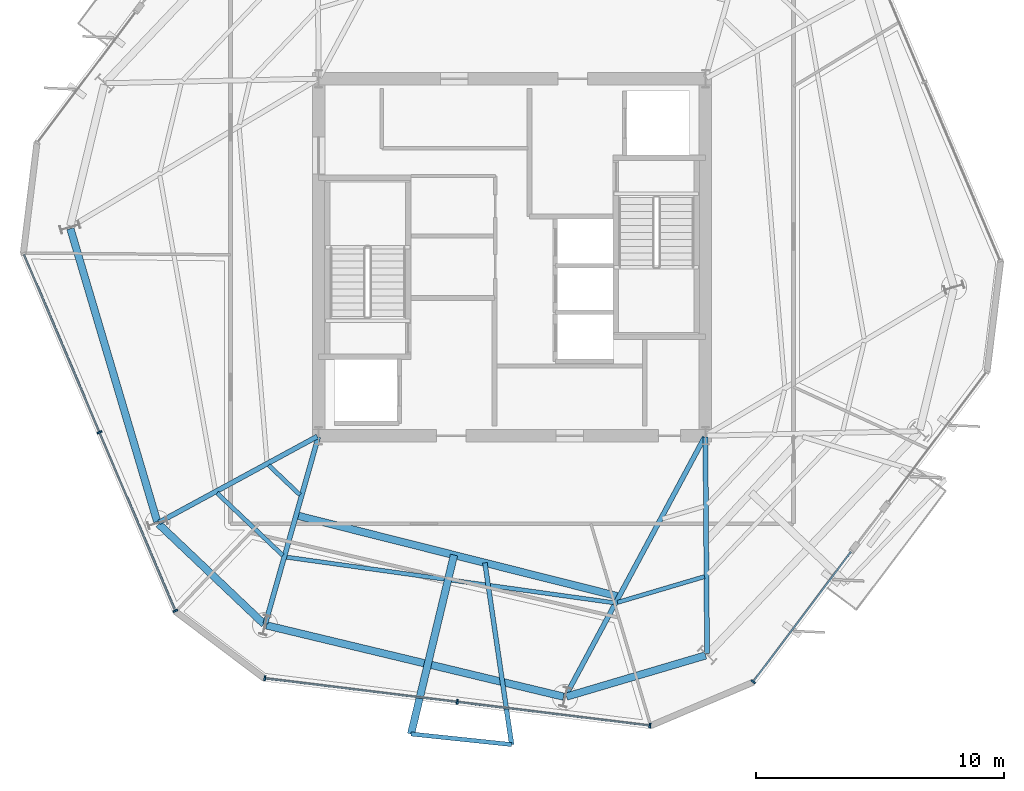
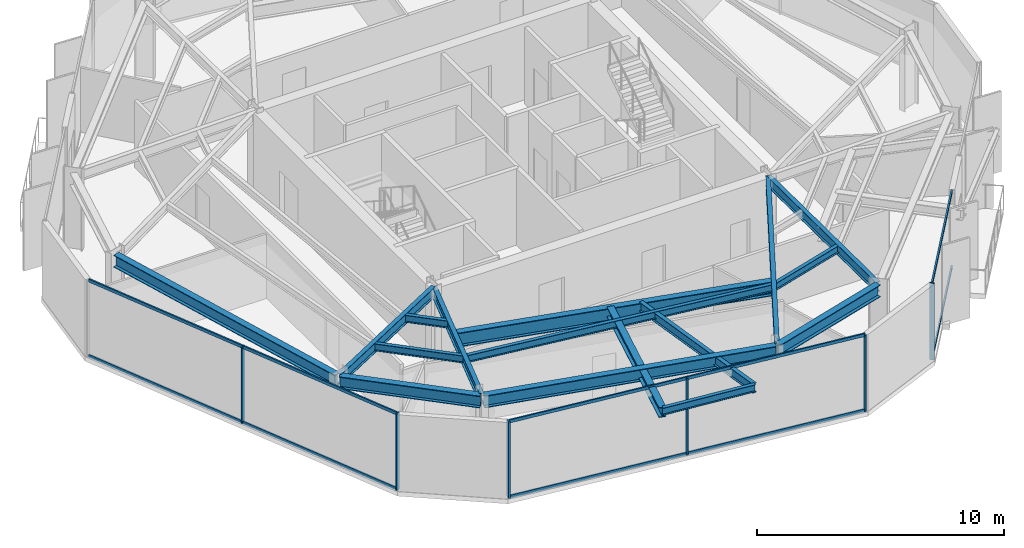
# One storey, part 2 of 12: 16 beams, 16 members, 3 elements without a shape of their own.
"""IFC4 building model written with IfcOpenShell, lengths in metres."""

from ifc_helpers import new_model, si_unit, direction, frame, origin, origin_2d, place, context, subcontext, project, spatial, rectangle, i_section, extrude, material, layer, layer_set, material_profile, profile_set, type_object, element, aggregate, save


model = new_model("IFC4")

# Units and contexts
model_context = context("Model", 3, precision=1e-05, world=origin(), true_north=direction((0.0, 1.0)))
body_context = subcontext(model_context, "Body", "Model", "MODEL_VIEW")
ifc_project = project(units=[si_unit("LENGTHUNIT", "METRE"), si_unit("AREAUNIT", "SQUARE_METRE"), si_unit("VOLUMEUNIT", "CUBIC_METRE"), si_unit("PLANEANGLEUNIT", "RADIAN"), si_unit("MASSUNIT", "GRAM", prefix="KILO")], contexts=[model_context])

# Site, building, storey
site_placement = place(None, origin())
site = spatial("IfcSite", under=ifc_project, at=site_placement, CompositionType="ELEMENT")
building_placement = place(site_placement, origin())
building = spatial("IfcBuilding", under=site, at=building_placement, Name="Kranzbogen Civic Tower", CompositionType="ELEMENT")
storey_placement = place(building_placement, frame((0.0, 0.0, 236.800048828125)))
storey = spatial("IfcBuildingStorey", under=building, at=storey_placement, Name="L57", CompositionType="ELEMENT", Elevation=236.800048828125)

# Beam
ifc_material_1 = material(Name="Steel S355", Category="steel")
ifc_material_profile_1 = material_profile(ifc_material_1, i_section(OverallWidth=0.18994140625, OverallDepth=0.449951171875, WebThickness=0.009521484375, FlangeThickness=0.0146484375, at=origin_2d()), Name="IPE 450")
ifc_profile_set_1 = profile_set([ifc_material_profile_1], Name="Steel S355")
beam_type_1 = type_object("IfcBeamType", Name="Braced Terrace Edge Beam IPE 450", PredefinedType="BEAM", material=ifc_profile_set_1)
beam_1_placement = place(storey_placement, frame((23.906982421875, 12.674072265625, 3.52490234375), z_axis=(0.145626782446, -0.989339598032, 0.0), x_axis=(0.989339598032, 0.145626782446, 0.0)))
element("IfcBeam", 1, at=beam_1_placement, inside=storey, type_object=beam_type_1, Name="L58 back-spanned terrace beam L58-TB1-2", PredefinedType="BEAM", context=body_context, shape_type="SweptSolid", body=[
    extrude(i_section(OverallWidth=0.18994140625, OverallDepth=0.449951171875, WebThickness=0.009521484375, FlangeThickness=0.0146484375, at=origin_2d()), origin(), (0.0, 0.0, 1.0), 7.41015625),
])

# Curtain wall, members
ifc_material_2 = material(Name="Pale Anodised Aluminium", Category="aluminium")
ifc_layer = layer(ifc_material_2, 0.219970703125, Name="Pale Anodised Aluminium")
ifc_layer_set = layer_set([ifc_layer], Name="Pale Anodised Aluminium")
curtain_wall_type = type_object("IfcCurtainWallType", Name="Zone 3 Stick Curtain Wall System CW-04", PredefinedType="USERDEFINED", material=ifc_layer_set)
curtain_wall_1_placement = place(storey_placement, origin())
curtain_wall_1 = element("IfcCurtainWall", 2, at=curtain_wall_1_placement, inside=storey, type_object=curtain_wall_type, Name="L57 curtain wall CW-L57-F3", ObjectType="STICK CURTAIN WALL", PredefinedType="USERDEFINED")
ifc_material_profile_2 = material_profile(ifc_material_2, rectangle(XDim=0.070068359375, YDim=0.199951171875, at=origin_2d()), Name="ALU-M 70x200")
ifc_profile_set_2 = profile_set([ifc_material_profile_2], Name="Pale Anodised Aluminium")
member_type_1 = type_object("IfcMemberType", Name="Curtain Wall Mullion ALU-M 70x200", PredefinedType="MULLION", material=ifc_profile_set_2)
member_1_placement = place(storey_placement, frame((8.364501953125, 17.939453125, 0.0), z_axis=(0.0, 0.0, 1.0), x_axis=(0.390705161325, -0.920515875428, 0.0)))
member_1 = element("IfcMember", 3, at=member_1_placement, type_object=member_type_1, Name="CW-04 mullion 2", PredefinedType="MULLION", context=body_context, shape_type="SweptSolid", body=[
    extrude(rectangle(XDim=0.070068359375, YDim=0.199951171875, at=origin_2d()), origin(), (0.0, 0.0, 1.0), 3.780029296875),
])
member_2_placement = place(storey_placement, frame((11.42138671875, 10.737548828125, 0.0), z_axis=(0.0, 0.0, 1.0), x_axis=(0.390705161325, -0.920515875428, 0.0)))
member_2 = element("IfcMember", 4, at=member_2_placement, type_object=member_type_1, Name="CW-04 mullion 3", PredefinedType="MULLION", context=body_context, shape_type="SweptSolid", body=[
    extrude(rectangle(XDim=0.070068359375, YDim=0.199951171875, at=origin_2d()), origin(), (0.0, 0.0, 1.0), 3.780029296875),
])

curtain_wall_2_placement = place(storey_placement, origin())
curtain_wall_2 = element("IfcCurtainWall", 5, at=curtain_wall_2_placement, inside=storey, type_object=curtain_wall_type, Name="L57 curtain wall CW-L57-F4", ObjectType="STICK CURTAIN WALL", PredefinedType="USERDEFINED")
member_3_placement = place(storey_placement, frame((15.03173828125, 8.017333984375, 0.0), z_axis=(0.0, 0.0, 1.0), x_axis=(0.992541022906, -0.121911106341, 0.0)))
member_3 = element("IfcMember", 6, at=member_3_placement, type_object=member_type_1, Name="CW-04 mullion 1", PredefinedType="MULLION", context=body_context, shape_type="SweptSolid", body=[
    extrude(rectangle(XDim=0.070068359375, YDim=0.199951171875, at=origin_2d()), origin(), (0.0, 0.0, 1.0), 3.780029296875),
])
member_4_placement = place(storey_placement, frame((22.797607421875, 7.0634765625, 0.0), z_axis=(0.0, 0.0, 1.0), x_axis=(0.992541022906, -0.121911106341, 0.0)))
member_4 = element("IfcMember", 7, at=member_4_placement, type_object=member_type_1, Name="CW-04 mullion 2", PredefinedType="MULLION", context=body_context, shape_type="SweptSolid", body=[
    extrude(rectangle(XDim=0.070068359375, YDim=0.199951171875, at=origin_2d()), origin(), (0.0, 0.0, 1.0), 3.780029296875),
])
member_5_placement = place(storey_placement, frame((30.563232421875, 6.109619140625, 0.0), z_axis=(0.0, 0.0, 1.0), x_axis=(0.992541022906, -0.121911106341, 0.0)))
member_5 = element("IfcMember", 8, at=member_5_placement, type_object=member_type_1, Name="CW-04 mullion 3", PredefinedType="MULLION", context=body_context, shape_type="SweptSolid", body=[
    extrude(rectangle(XDim=0.070068359375, YDim=0.199951171875, at=origin_2d()), origin(), (0.0, 0.0, 1.0), 3.780029296875),
])

# Curtain wall, member
curtain_wall_3_placement = place(storey_placement, origin())
curtain_wall_3 = element("IfcCurtainWall", 9, at=curtain_wall_3_placement, inside=storey, type_object=curtain_wall_type, Name="L57 curtain wall CW-L57-F5-S1", ObjectType="STICK CURTAIN WALL", PredefinedType="USERDEFINED")
member_6_placement = place(storey_placement, frame((34.72412109375, 7.8759765625, 0.0), z_axis=(0.0, 0.0, 1.0), x_axis=(0.601777999064, 0.798663408353, 0.0)))
member_6 = element("IfcMember", 10, at=member_6_placement, type_object=member_type_1, Name="CW-04 mullion 1", PredefinedType="MULLION", context=body_context, shape_type="SweptSolid", body=[
    extrude(rectangle(XDim=0.070068359375, YDim=0.199951171875, at=origin_2d()), origin(), (0.0, 0.0, 1.0), 3.780029296875),
])

# Member
ifc_material_profile_3 = material_profile(ifc_material_2, rectangle(XDim=0.070068359375, YDim=0.14990234375, at=origin_2d()), Name="ALU-T 70x150")
ifc_profile_set_3 = profile_set([ifc_material_profile_3], Name="Pale Anodised Aluminium")
member_type_2 = type_object("IfcMemberType", Name="Curtain Wall Transom ALU-T 70x150", PredefinedType="USERDEFINED", material=ifc_profile_set_3)
member_7_placement = place(storey_placement, frame((5.3193359375, 25.11376953125, 0.030029296875), z_axis=(0.390713774716, -0.920512219499, 0.0), x_axis=(0.920512219499, 0.390713774716, 0.0)))
member_7 = element("IfcMember", 11, at=member_7_placement, type_object=member_type_2, Name="CW-04 transom 1.1", ObjectType="TRANSOM", PredefinedType="USERDEFINED", context=body_context, shape_type="SweptSolid", body=[
    extrude(rectangle(XDim=0.070068359375, YDim=0.14990234375, at=origin_2d()), origin(), (0.0, 0.0, 1.0), 7.763916015625),
])

member_8_placement = place(storey_placement, frame((5.3193359375, 25.11376953125, 3.75), z_axis=(0.390713774716, -0.920512219499, 0.0), x_axis=(0.920512219499, 0.390713774716, 0.0)))
member_8 = element("IfcMember", 12, at=member_8_placement, type_object=member_type_2, Name="CW-04 transom 1.2", ObjectType="TRANSOM", PredefinedType="USERDEFINED", context=body_context, shape_type="SweptSolid", body=[
    extrude(rectangle(XDim=0.070068359375, YDim=0.14990234375, at=origin_2d()), origin(), (0.0, 0.0, 1.0), 7.763916015625),
])

member_9_placement = place(storey_placement, frame((8.376220703125, 17.911865234375, 0.030029296875), z_axis=(0.390713774716, -0.920512219499, 0.0), x_axis=(0.920512219499, 0.390713774716, 0.0)))
member_9 = element("IfcMember", 13, at=member_9_placement, type_object=member_type_2, Name="CW-04 transom 2.1", ObjectType="TRANSOM", PredefinedType="USERDEFINED", context=body_context, shape_type="SweptSolid", body=[
    extrude(rectangle(XDim=0.070068359375, YDim=0.14990234375, at=origin_2d()), origin(), (0.0, 0.0, 1.0), 7.763916015625),
])

member_10_placement = place(storey_placement, frame((8.376220703125, 17.911865234375, 3.75), z_axis=(0.390713774716, -0.920512219499, 0.0), x_axis=(0.920512219499, 0.390713774716, 0.0)))
member_10 = element("IfcMember", 14, at=member_10_placement, type_object=member_type_2, Name="CW-04 transom 2.2", ObjectType="TRANSOM", PredefinedType="USERDEFINED", context=body_context, shape_type="SweptSolid", body=[
    extrude(rectangle(XDim=0.070068359375, YDim=0.14990234375, at=origin_2d()), origin(), (0.0, 0.0, 1.0), 7.763916015625),
])

aggregate(curtain_wall_1, [member_1, member_2, member_7, member_8, member_9, member_10])

member_11_placement = place(storey_placement, frame((15.0615234375, 8.013671875, 0.030029296875), z_axis=(0.992541185924, -0.121909779117, 0.0), x_axis=(0.121909779117, 0.992541185924, 0.0)))
member_11 = element("IfcMember", 15, at=member_11_placement, type_object=member_type_2, Name="CW-04 transom 1.1", ObjectType="TRANSOM", PredefinedType="USERDEFINED", context=body_context, shape_type="SweptSolid", body=[
    extrude(rectangle(XDim=0.070068359375, YDim=0.14990234375, at=origin_2d()), origin(), (0.0, 0.0, 1.0), 7.76416015625),
])

member_12_placement = place(storey_placement, frame((15.0615234375, 8.013671875, 3.75), z_axis=(0.992541185924, -0.121909779117, 0.0), x_axis=(0.121909779117, 0.992541185924, 0.0)))
member_12 = element("IfcMember", 16, at=member_12_placement, type_object=member_type_2, Name="CW-04 transom 1.2", ObjectType="TRANSOM", PredefinedType="USERDEFINED", context=body_context, shape_type="SweptSolid", body=[
    extrude(rectangle(XDim=0.070068359375, YDim=0.14990234375, at=origin_2d()), origin(), (0.0, 0.0, 1.0), 7.76416015625),
])

member_13_placement = place(storey_placement, frame((22.827392578125, 7.059814453125, 0.030029296875), z_axis=(0.992540718576, -0.121913584017, 0.0), x_axis=(0.121913584017, 0.992540718576, 0.0)))
member_13 = element("IfcMember", 17, at=member_13_placement, type_object=member_type_2, Name="CW-04 transom 2.1", ObjectType="TRANSOM", PredefinedType="USERDEFINED", context=body_context, shape_type="SweptSolid", body=[
    extrude(rectangle(XDim=0.070068359375, YDim=0.14990234375, at=origin_2d()), origin(), (0.0, 0.0, 1.0), 7.763916015625),
])

member_14_placement = place(storey_placement, frame((22.827392578125, 7.059814453125, 3.75), z_axis=(0.992540718576, -0.121913584017, 0.0), x_axis=(0.121913584017, 0.992540718576, 0.0)))
member_14 = element("IfcMember", 18, at=member_14_placement, type_object=member_type_2, Name="CW-04 transom 2.2", ObjectType="TRANSOM", PredefinedType="USERDEFINED", context=body_context, shape_type="SweptSolid", body=[
    extrude(rectangle(XDim=0.070068359375, YDim=0.14990234375, at=origin_2d()), origin(), (0.0, 0.0, 1.0), 7.763916015625),
])

aggregate(curtain_wall_2, [member_3, member_4, member_5, member_11, member_12, member_13, member_14])

member_15_placement = place(storey_placement, frame((34.7421875, 7.89990234375, 0.030029296875), z_axis=(0.601756289922, 0.798679765325, 0.0), x_axis=(-0.798679765325, 0.601756289922, 0.0)))
member_15 = element("IfcMember", 19, at=member_15_placement, type_object=member_type_2, Name="CW-04 transom 1.1", ObjectType="TRANSOM", PredefinedType="USERDEFINED", context=body_context, shape_type="SweptSolid", body=[
    extrude(rectangle(XDim=0.070068359375, YDim=0.14990234375, at=origin_2d()), origin(), (0.0, 0.0, 1.0), 6.53369140625),
])

member_16_placement = place(storey_placement, frame((34.7421875, 7.89990234375, 3.75), z_axis=(0.601756289922, 0.798679765325, 0.0), x_axis=(-0.798679765325, 0.601756289922, 0.0)))
member_16 = element("IfcMember", 20, at=member_16_placement, type_object=member_type_2, Name="CW-04 transom 1.2", ObjectType="TRANSOM", PredefinedType="USERDEFINED", context=body_context, shape_type="SweptSolid", body=[
    extrude(rectangle(XDim=0.070068359375, YDim=0.14990234375, at=origin_2d()), origin(), (0.0, 0.0, 1.0), 6.53369140625),
])

aggregate(curtain_wall_3, [member_6, member_15, member_16])

# Beams
ifc_material_profile_4 = material_profile(ifc_material_1, i_section(OverallWidth=0.300048828125, OverallDepth=0.5, WebThickness=0.014404296875, FlangeThickness=0.028076171875, at=origin_2d()), Name="HEB 500")
ifc_profile_set_4 = profile_set([ifc_material_profile_4], Name="Steel S355")
beam_type_2 = type_object("IfcBeamType", Name="Perimeter Tube Spandrel Beam HEB 500", PredefinedType="SPANDREL", material=ifc_profile_set_4)
beam_2_placement = place(storey_placement, frame((22.660888671875, 12.988037109375, 3.5), z_axis=(-0.233447586901, -0.972369386689, 0.0), x_axis=(0.972369386689, -0.233447586901, 0.0)))
element("IfcBeam", 21, at=beam_2_placement, inside=storey, type_object=beam_type_2, Name="L58 back-spanned terrace beam L58-TB1-1", PredefinedType="SPANDREL", context=body_context, shape_type="SweptSolid", body=[
    extrude(i_section(OverallWidth=0.300048828125, OverallDepth=0.5, WebThickness=0.014404296875, FlangeThickness=0.028076171875, at=origin_2d()), origin(), (0.0, 0.0, 1.0), 7.423095703125),
])
ifc_material_profile_5 = material_profile(ifc_material_1, i_section(OverallWidth=0.300048828125, OverallDepth=0.60009765625, WebThickness=0.015380859375, FlangeThickness=0.030029296875, at=origin_2d()), Name="HEB 600")
ifc_profile_set_5 = profile_set([ifc_material_profile_5], Name="Steel S355")
beam_type_3 = type_object("IfcBeamType", Name="Perimeter Tube Spandrel Beam HEB 600", PredefinedType="SPANDREL", material=ifc_profile_set_5)
beam_3_placement = place(storey_placement, frame((10.7509765625, 14.235107421875, 3.47998046875), z_axis=(0.725245206788, -0.688490660816, 0.0), x_axis=(0.688490660816, 0.725245206788, 0.0)))
element("IfcBeam", 22, at=beam_3_placement, inside=storey, type_object=beam_type_3, Name="L57 perimeter spandrel beam 01", PredefinedType="SPANDREL", context=body_context, shape_type="SweptSolid", body=[
    extrude(i_section(OverallWidth=0.300048828125, OverallDepth=0.60009765625, WebThickness=0.015380859375, FlangeThickness=0.030029296875, at=origin_2d()), origin(), (0.0, 0.0, 1.0), 5.85205078125),
])
beam_4_placement = place(storey_placement, frame((15.096923828125, 10.15087890625, 3.47998046875), z_axis=(0.972377592092, -0.233413406637, 0.0), x_axis=(0.233413406637, 0.972377592092, 0.0)))
element("IfcBeam", 23, at=beam_4_placement, inside=storey, type_object=beam_type_3, Name="L57 perimeter spandrel beam 02", PredefinedType="SPANDREL", context=body_context, shape_type="SweptSolid", body=[
    extrude(i_section(OverallWidth=0.300048828125, OverallDepth=0.60009765625, WebThickness=0.015380859375, FlangeThickness=0.030029296875, at=origin_2d()), origin(), (0.0, 0.0, 1.0), 12.32568359375),
])
beam_5_placement = place(storey_placement, frame((27.197998046875, 7.277099609375, 3.47998046875), z_axis=(0.9588296723, 0.283981794341, 0.0), x_axis=(-0.283981794341, 0.9588296723, 0.0)))
element("IfcBeam", 24, at=beam_5_placement, inside=storey, type_object=beam_type_3, Name="L57 perimeter spandrel beam 03", PredefinedType="SPANDREL", context=body_context, shape_type="SweptSolid", body=[
    extrude(i_section(OverallWidth=0.300048828125, OverallDepth=0.60009765625, WebThickness=0.015380859375, FlangeThickness=0.030029296875, at=origin_2d()), origin(), (0.0, 0.0, 1.0), 5.85205078125),
])
beam_6_placement = place(storey_placement, frame((7.18896484375, 26.15087890625, 3.47998046875), z_axis=(0.284064048956, -0.958805306666, 0.0), x_axis=(0.958805306666, 0.284064048956, 0.0)))
element("IfcBeam", 25, at=beam_6_placement, inside=storey, type_object=beam_type_3, Name="L57 perimeter spandrel beam 12", PredefinedType="SPANDREL", context=body_context, shape_type="SweptSolid", body=[
    extrude(i_section(OverallWidth=0.300048828125, OverallDepth=0.60009765625, WebThickness=0.015380859375, FlangeThickness=0.030029296875, at=origin_2d()), origin(), (0.0, 0.0, 1.0), 12.32470703125),
])
ifc_material_profile_6 = material_profile(ifc_material_1, i_section(OverallWidth=0.300048828125, OverallDepth=0.699951171875, WebThickness=0.01708984375, FlangeThickness=0.031982421875, at=origin_2d()), Name="HEB 700")
ifc_profile_set_6 = profile_set([ifc_material_profile_6], Name="Steel S355")
beam_type_4 = type_object("IfcBeamType", Name="Perimeter Tube Spandrel Beam HEB 700", PredefinedType="SPANDREL", material=ifc_profile_set_6)
beam_7_placement = place(storey_placement, frame((16.2919921875, 14.591064453125, 3.39990234375), z_axis=(0.969754167823, -0.244083702834, 0.0), x_axis=(0.244083702834, 0.969754167823, 0.0)))
element("IfcBeam", 26, at=beam_7_placement, inside=storey, type_object=beam_type_4, Name="L58 balcony back-span header girder L58-TB1", PredefinedType="SPANDREL", context=body_context, shape_type="SweptSolid", body=[
    extrude(i_section(OverallWidth=0.300048828125, OverallDepth=0.699951171875, WebThickness=0.01708984375, FlangeThickness=0.031982421875, at=origin_2d()), origin(), (0.0, 0.0, 1.0), 13.43017578125),
])
ifc_material_profile_7 = material_profile(ifc_material_1, i_section(OverallWidth=0.199951171875, OverallDepth=0.5, WebThickness=0.01025390625, FlangeThickness=0.01611328125, at=origin_2d()), Name="IPE 500")
ifc_profile_set_7 = profile_set([ifc_material_profile_7], Name="Steel S355")
beam_type_5 = type_object("IfcBeamType", Name="Radial Tower Floor Girder IPE 500", PredefinedType="BEAM", material=ifc_profile_set_7)
beam_8_placement = place(storey_placement, frame((10.760009765625, 14.304931640625, 3.530029296875), z_axis=(0.878919430102, 0.476970266777, 0.0), x_axis=(-0.476970266777, 0.878919430102, 0.0)))
element("IfcBeam", 27, at=beam_8_placement, inside=storey, type_object=beam_type_5, Name="L57 radial floor girder 01", PredefinedType="BEAM", context=body_context, shape_type="SweptSolid", body=[
    extrude(i_section(OverallWidth=0.199951171875, OverallDepth=0.5, WebThickness=0.01025390625, FlangeThickness=0.01611328125, at=origin_2d()), origin(), (0.0, 0.0, 1.0), 7.266845703125),
])
beam_9_placement = place(storey_placement, frame((15.054931640625, 10.222900390625, 3.530029296875), z_axis=(0.272455078988, 0.962168503919, 0.0), x_axis=(-0.962168503919, 0.272455078988, 0.0)))
element("IfcBeam", 28, at=beam_9_placement, inside=storey, type_object=beam_type_5, Name="L57 radial floor girder 02", PredefinedType="BEAM", context=body_context, shape_type="SweptSolid", body=[
    extrude(i_section(OverallWidth=0.199951171875, OverallDepth=0.5, WebThickness=0.01025390625, FlangeThickness=0.01611328125, at=origin_2d()), origin(), (0.0, 0.0, 1.0), 7.814697265625),
])
beam_10_placement = place(storey_placement, frame((27.16796875, 7.31298828125, 3.530029296875), z_axis=(0.473160413549, 0.880976289721, 0.0), x_axis=(-0.880976289721, 0.473160413549, 0.0)))
element("IfcBeam", 29, at=beam_10_placement, inside=storey, type_object=beam_type_5, Name="L57 radial floor girder 03", PredefinedType="BEAM", context=body_context, shape_type="SweptSolid", body=[
    extrude(i_section(OverallWidth=0.199951171875, OverallDepth=0.5, WebThickness=0.01025390625, FlangeThickness=0.01611328125, at=origin_2d()), origin(), (0.0, 0.0, 1.0), 11.84375),
])
beam_11_placement = place(storey_placement, frame((32.866943359375, 9.01611328125, 3.530029296875), z_axis=(-0.007667756557, 0.999970602323, 0.0), x_axis=(-0.999970602323, -0.007667756557, 0.0)))
element("IfcBeam", 30, at=beam_11_placement, inside=storey, type_object=beam_type_5, Name="L57 radial floor girder 04", PredefinedType="BEAM", context=body_context, shape_type="SweptSolid", body=[
    extrude(i_section(OverallWidth=0.199951171875, OverallDepth=0.5, WebThickness=0.01025390625, FlangeThickness=0.01611328125, at=origin_2d()), origin(), (0.0, 0.0, 1.0), 8.72412109375),
])
ifc_material_profile_8 = material_profile(ifc_material_1, i_section(OverallWidth=0.169921875, OverallDepth=0.360107421875, WebThickness=0.008056640625, FlangeThickness=0.0126953125, at=origin_2d()), Name="IPE 360")
ifc_profile_set_8 = profile_set([ifc_material_profile_8], Name="Steel S355")
beam_type_6 = type_object("IfcBeamType", Name="Secondary Composite Floor Joist IPE 360", PredefinedType="JOIST", material=ifc_profile_set_8)
beam_12_placement = place(storey_placement, frame((13.10302734375, 15.489990234375, 3.599853515625), z_axis=(0.725300648604, -0.688432254572, 0.0), x_axis=(0.688432254572, 0.725300648604, 0.0)))
element("IfcBeam", 31, at=beam_12_placement, inside=storey, type_object=beam_type_6, Name="L57 secondary floor joist 1.01", PredefinedType="JOIST", context=body_context, shape_type="SweptSolid", body=[
    extrude(i_section(OverallWidth=0.169921875, OverallDepth=0.360107421875, WebThickness=0.008056640625, FlangeThickness=0.0126953125, at=origin_2d()), origin(), (0.0, 0.0, 1.0), 3.661865234375),
])
beam_13_placement = place(storey_placement, frame((15.179931640625, 16.616943359375, 3.599853515625), z_axis=(0.725479767774, -0.688243493649, 0.0), x_axis=(0.688243493649, 0.725479767774, 0.0)))
element("IfcBeam", 32, at=beam_13_placement, inside=storey, type_object=beam_type_6, Name="L57 secondary floor joist 2.01", PredefinedType="JOIST", context=body_context, shape_type="SweptSolid", body=[
    extrude(i_section(OverallWidth=0.169921875, OverallDepth=0.360107421875, WebThickness=0.008056640625, FlangeThickness=0.0126953125, at=origin_2d()), origin(), (0.0, 0.0, 1.0), 1.75048828125),
])
beam_14_placement = place(storey_placement, frame((15.89599609375, 12.903076171875, 3.599853515625), z_axis=(0.990445837232, -0.137902296968, 0.0), x_axis=(0.137902296968, 0.990445837232, 0.0)))
element("IfcBeam", 33, at=beam_14_placement, inside=storey, type_object=beam_type_6, Name="L57 secondary floor joist 1.02", PredefinedType="JOIST", context=body_context, shape_type="SweptSolid", body=[
    extrude(i_section(OverallWidth=0.169921875, OverallDepth=0.360107421875, WebThickness=0.008056640625, FlangeThickness=0.0126953125, at=origin_2d()), origin(), (0.0, 0.0, 1.0), 13.329345703125),
])
beam_15_placement = place(storey_placement, frame((29.25390625, 11.076904296875, 3.599853515625), z_axis=(0.958843823165, 0.283934011309, 0.0), x_axis=(-0.283934011309, 0.958843823165, 0.0)))
element("IfcBeam", 34, at=beam_15_placement, inside=storey, type_object=beam_type_6, Name="L57 secondary floor joist 1.03", PredefinedType="JOIST", context=body_context, shape_type="SweptSolid", body=[
    extrude(i_section(OverallWidth=0.169921875, OverallDepth=0.360107421875, WebThickness=0.008056640625, FlangeThickness=0.0126953125, at=origin_2d()), origin(), (0.0, 0.0, 1.0), 3.662841796875),
])
beam_16_placement = place(storey_placement, frame((20.927978515625, 5.77001953125, 3.570068359375), z_axis=(0.994509714026, -0.104644296103, 0.0), x_axis=(0.104644296103, 0.994509714026, 0.0)))
element("IfcBeam", 35, at=beam_16_placement, inside=storey, type_object=beam_type_6, Name="L58 terrace outer edge trimmer L58-TB1", PredefinedType="JOIST", context=body_context, shape_type="SweptSolid", body=[
    extrude(i_section(OverallWidth=0.169921875, OverallDepth=0.360107421875, WebThickness=0.008056640625, FlangeThickness=0.0126953125, at=origin_2d()), origin(), (0.0, 0.0, 1.0), 4.08056640625),
])

save(model, "model.ifc")
